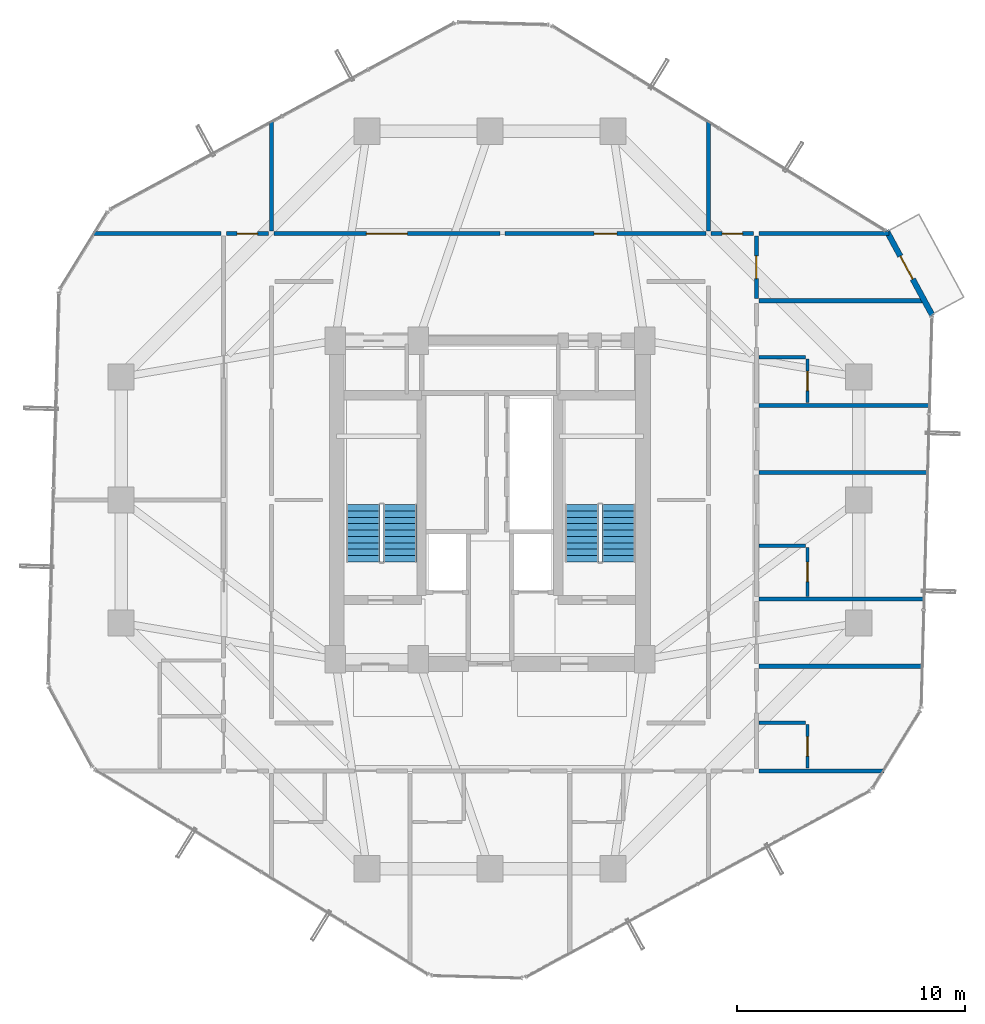
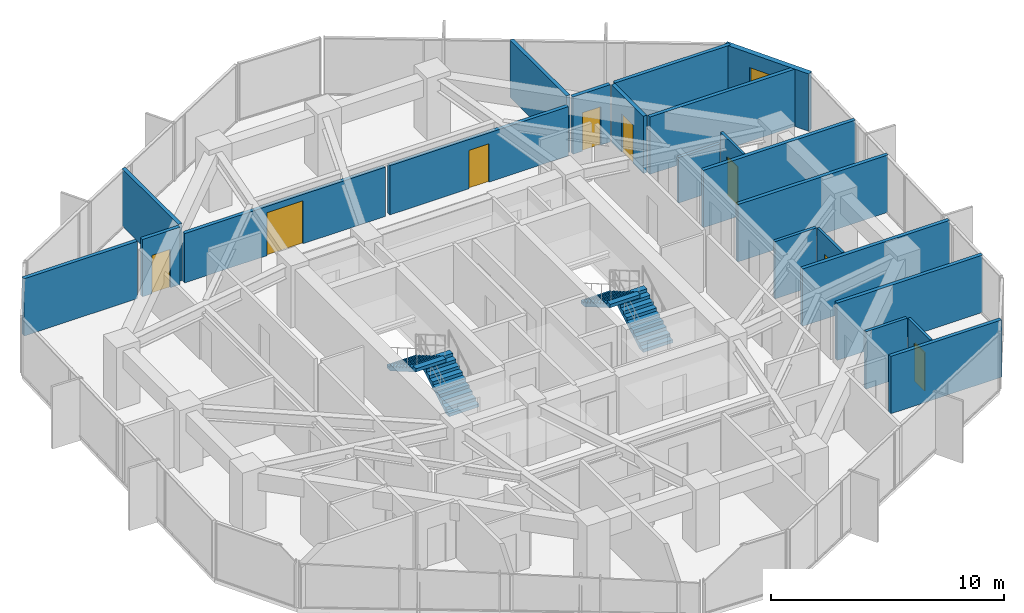
# One storey, part 28 of 30: 22 walls, 9 doors, 4 stair flights, 9 openings, 2 elements without a shape of their own.
"""IFC4 building model written with IfcOpenShell, lengths in metres."""

from ifc_helpers import new_model, si_unit, direction, frame, frame_2d, origin, place, context, subcontext, project, spatial, polyline, rectangle, outline, extrude, source, transform, mapped, material, layer, layer_set, type_object, element, fill, aggregate, save


model = new_model("IFC4")

# Units and contexts
model_context = context("Model", 3, precision=1e-05, world=origin(), true_north=direction((0.0, 1.0)))
body_context = subcontext(model_context, "Body", "Model", "MODEL_VIEW")
ifc_project = project(units=[si_unit("LENGTHUNIT", "METRE"), si_unit("AREAUNIT", "SQUARE_METRE"), si_unit("VOLUMEUNIT", "CUBIC_METRE"), si_unit("PLANEANGLEUNIT", "RADIAN"), si_unit("MASSUNIT", "GRAM", prefix="KILO")], contexts=[model_context])

# Site, building, storey
site_placement = place(None, origin())
site = spatial("IfcSite", under=ifc_project, at=site_placement, CompositionType="ELEMENT")
building_placement = place(site_placement, origin())
building = spatial("IfcBuilding", under=site, at=building_placement, Name="Veraguas Prism Commons", CompositionType="ELEMENT")
storey_placement = place(building_placement, frame((0.0, 0.0, 123.0)))
storey = spatial("IfcBuildingStorey", under=building, at=storey_placement, Name="L34", CompositionType="ELEMENT", Elevation=123.0)

# Walls
ifc_material_1 = material(Name="Autoclaved aerated masonry block 10 MPa", Category="masonry")
ifc_layer_1 = layer(ifc_material_1, 0.179931640625, Name="Corridor and Inter-Tenancy Partition 180", Category="masonry")
ifc_layer_set_1 = layer_set([ifc_layer_1], Name="Autoclaved aerated masonry block 10 MPa")
wall_type_1 = type_object("IfcWallType", Name="Corridor and Inter-Tenancy Partition 180", PredefinedType="PARTITIONING", material=ifc_layer_set_1)
wall_1_placement = place(storey_placement, frame((14.39990234375, 35.820068359375, 0.0), z_axis=(0.0, 0.0, 1.0), x_axis=(0.0, 1.0, 0.0)))
element("IfcWall", 1, at=wall_1_placement, inside=storey, type_object=wall_type_1, Name="WL-L34-PT014", PredefinedType="PARTITIONING", context=body_context, shape_type="SweptSolid", body=[
    extrude(rectangle(XDim=4.830078125, YDim=0.179931640625, at=frame_2d((2.4150390625, 0.0))), origin(), (0.0, 0.0, 1.0), 3.0),
])
wall_2_placement = place(storey_placement, frame((33.60009765625, 35.820068359375, 0.0), z_axis=(0.0, 0.0, 1.0), x_axis=(0.0, 1.0, 0.0)))
element("IfcWall", 2, at=wall_2_placement, inside=storey, type_object=wall_type_1, Name="WL-L34-PT015", PredefinedType="PARTITIONING", context=body_context, shape_type="SweptSolid", body=[
    extrude(rectangle(XDim=4.830810546875, YDim=0.179931640625, at=frame_2d((2.41552734375, 0.0))), origin(), (0.0, 0.0, 1.0), 3.0),
])

# Wall, opening, door
wall_3_placement = place(storey_placement, frame((14.510009765625, 35.699951171875, 0.0), z_axis=(0.0, 0.0, 1.0), x_axis=(1.0, 0.0, 0.0)))
wall_3 = element("IfcWall", 3, at=wall_3_placement, inside=storey, type_object=wall_type_1, Name="WL-L34-PT016", PredefinedType="PARTITIONING", context=body_context, shape_type="SweptSolid", body=[
    extrude(rectangle(XDim=9.924072265625, YDim=0.179931640625, at=frame_2d((4.9619140625, 0.0))), origin(), (0.0, 0.0, 1.0), 2.580078125),
])
opening_1_placement = place(wall_3_placement, frame((4.06201171875, 0.0, 0.0)))
opening_1 = element("IfcOpeningElement", 4, at=opening_1_placement, cuts=wall_3, Name="Opening DR-07", PredefinedType="OPENING", context=body_context, shape_type="SweptSolid", body=[
    extrude(rectangle(XDim=1.800048828125, YDim=2.25, at=frame_2d((0.89990234375, 1.125))), frame((0.0, 0.099853515625, 0.0), z_axis=(0.0, -1.0, 0.0), x_axis=(1.0, 0.0, 0.0)), (0.0, 0.0, 1.0), 0.199951171875),
])
ifc_material_2 = material(Name="Steel fire-rated door assembly", Category="steel")
door_type_1 = type_object("IfcDoorType", Name="Corridor Double Fire Door 1800x2250", OperationType="NOTDEFINED", PredefinedType="DOOR", material=ifc_material_2)
shared_shape_1 = source(origin(), body_context, "Body", "SweptSolid", [
    extrude(rectangle(XDim=1.800048828125, YDim=2.25, at=frame_2d((0.89990234375, 1.125))), frame((0.0, 0.02490234375, 0.0), z_axis=(0.0, -1.0, 0.0), x_axis=(1.0, 0.0, 0.0)), (0.0, 0.0, 1.0), 0.050048828125),
])
door_1_placement = place(opening_1_placement, origin())
door_1 = element("IfcDoor", 5, at=door_1_placement, inside=storey, type_object=door_type_1, Name="Residents Co-op Library and Reading Hall Door 1", OperationType="SINGLE_SWING_LEFT", OverallHeight=2.25, OverallWidth=1.800048828125, PredefinedType="DOOR", context=body_context, shape_type="MappedRepresentation", body=[
    mapped(shared_shape_1, transform((0.0, 0.0, 0.0), scale=1.0)),
])
fill(opening_1, door_1)

wall_4_placement = place(storey_placement, frame((24.654052734375, 35.699951171875, 0.0), z_axis=(0.0, 0.0, 1.0), x_axis=(1.0, 0.0, 0.0)))
wall_4 = element("IfcWall", 6, at=wall_4_placement, inside=storey, type_object=wall_type_1, Name="WL-L34-PT017", PredefinedType="PARTITIONING", context=body_context, shape_type="SweptSolid", body=[
    extrude(rectangle(XDim=8.8359375, YDim=0.179931640625, at=frame_2d((4.41796875, 0.0))), origin(), (0.0, 0.0, 1.0), 2.580078125),
])
opening_2_placement = place(wall_4_placement, frame((3.91796875, 0.0, 0.0)))
opening_2 = element("IfcOpeningElement", 7, at=opening_2_placement, cuts=wall_4, Name="Opening DR-13", PredefinedType="OPENING", context=body_context, shape_type="SweptSolid", body=[
    extrude(rectangle(XDim=1.0, YDim=2.010009765625, at=frame_2d((0.5, 1.0048828125))), frame((0.0, 0.099853515625, 0.0), z_axis=(0.0, -1.0, 0.0), x_axis=(1.0, 0.0, 0.0)), (0.0, 0.0, 1.0), 0.199951171875),
])
door_type_2 = type_object("IfcDoorType", Name="Core Accessible WC and Clinic Fire Door 1000x2010", OperationType="NOTDEFINED", PredefinedType="DOOR", material=ifc_material_2)
shared_shape_2 = source(origin(), body_context, "Body", "SweptSolid", [
    extrude(rectangle(XDim=1.0, YDim=2.010009765625, at=frame_2d((0.5, 1.0048828125))), frame((0.0, 0.02490234375, 0.0), z_axis=(0.0, -1.0, 0.0), x_axis=(1.0, 0.0, 0.0)), (0.0, 0.0, 1.0), 0.050048828125),
])
door_2_placement = place(opening_2_placement, origin())
door_2 = element("IfcDoor", 8, at=door_2_placement, inside=storey, type_object=door_type_2, Name="Residents Co-op Library and Reading Hall Door 2", OperationType="SINGLE_SWING_RIGHT", OverallHeight=2.010009765625, OverallWidth=1.0, PredefinedType="DOOR", context=body_context, shape_type="MappedRepresentation", body=[
    mapped(shared_shape_2, transform((0.0, 0.0, 0.0), scale=1.0)),
])
fill(opening_2, door_2)

# Walls
wall_5_placement = place(storey_placement, frame((12.179931640625, 35.699951171875, 0.0), z_axis=(0.0, 0.0, 1.0), x_axis=(-1.0, 0.0, 0.0)))
element("IfcWall", 9, at=wall_5_placement, inside=storey, type_object=wall_type_1, Name="WL-L34-PT019", PredefinedType="PARTITIONING", context=body_context, shape_type="SweptSolid", body=[
    extrude(rectangle(XDim=5.615966796875, YDim=0.179931640625, at=frame_2d((2.80810546875, 0.0))), origin(), (0.0, 0.0, 1.0), 3.0),
])
wall_6_placement = place(storey_placement, frame((35.820068359375, 12.10009765625, 0.0), z_axis=(0.0, 0.0, 1.0), x_axis=(1.0, 0.0, 0.0)))
element("IfcWall", 10, at=wall_6_placement, inside=storey, type_object=wall_type_1, Name="WL-L34-PT029", PredefinedType="PARTITIONING", context=body_context, shape_type="SweptSolid", body=[
    extrude(rectangle(XDim=5.492919921875, YDim=0.179931640625, at=frame_2d((2.74658203125, 0.0))), origin(), (0.0, 0.0, 1.0), 3.0),
])
wall_7_placement = place(storey_placement, frame((35.820068359375, 35.699951171875, 0.0), z_axis=(0.0, 0.0, 1.0), x_axis=(1.0, 0.0, 0.0)))
element("IfcWall", 11, at=wall_7_placement, inside=storey, type_object=wall_type_1, Name="WL-L34-PT030", PredefinedType="PARTITIONING", context=body_context, shape_type="SweptSolid", body=[
    extrude(rectangle(XDim=5.70458984375, YDim=0.179931640625, at=frame_2d((2.852294921875, 0.0))), origin(), (0.0, 0.0, 1.0), 3.0),
])
wall_8_placement = place(storey_placement, frame((35.820068359375, 16.697998046875, 0.0), z_axis=(0.0, 0.0, 1.0), x_axis=(1.0, 0.0, 0.0)))
element("IfcWall", 12, at=wall_8_placement, inside=storey, type_object=wall_type_1, Name="WL-L34-PT032", PredefinedType="PARTITIONING", context=body_context, shape_type="SweptSolid", body=[
    extrude(rectangle(XDim=7.1982421875, YDim=0.179931640625, at=frame_2d((3.59912109375, 0.0))), origin(), (0.0, 0.0, 1.0), 3.0),
])
wall_9_placement = place(storey_placement, frame((35.820068359375, 19.64794921875, 0.0), z_axis=(0.0, 0.0, 1.0), x_axis=(1.0, 0.0, 0.0)))
element("IfcWall", 13, at=wall_9_placement, inside=storey, type_object=wall_type_1, Name="WL-L34-PT036", PredefinedType="PARTITIONING", context=body_context, shape_type="SweptSolid", body=[
    extrude(rectangle(XDim=7.279541015625, YDim=0.179931640625, at=frame_2d((3.6396484375, 0.0))), origin(), (0.0, 0.0, 1.0), 3.0),
])
wall_10_placement = place(storey_placement, frame((35.820068359375, 25.201904296875, 0.0), z_axis=(0.0, 0.0, 1.0), x_axis=(1.0, 0.0, 0.0)))
element("IfcWall", 14, at=wall_10_placement, inside=storey, type_object=wall_type_1, Name="WL-L34-PT038", PredefinedType="PARTITIONING", context=body_context, shape_type="SweptSolid", body=[
    extrude(rectangle(XDim=7.432861328125, YDim=0.179931640625, at=frame_2d((3.71630859375, 0.0))), origin(), (0.0, 0.0, 1.0), 3.0),
])
wall_11_placement = place(storey_placement, frame((35.820068359375, 28.152099609375, 0.0), z_axis=(0.0, 0.0, 1.0), x_axis=(1.0, 0.0, 0.0)))
element("IfcWall", 15, at=wall_11_placement, inside=storey, type_object=wall_type_1, Name="WL-L34-PT042", PredefinedType="PARTITIONING", context=body_context, shape_type="SweptSolid", body=[
    extrude(rectangle(XDim=7.51416015625, YDim=0.179931640625, at=frame_2d((3.757080078125, 0.0))), origin(), (0.0, 0.0, 1.0), 3.0),
])

# Wall, opening, door
wall_12_placement = place(storey_placement, frame((35.699951171875, 32.860107421875, 0.0), z_axis=(0.0, 0.0, 1.0), x_axis=(0.0, 1.0, 0.0)))
wall_12 = element("IfcWall", 16, at=wall_12_placement, inside=storey, type_object=wall_type_1, Name="WL-L34-PT043", PredefinedType="PARTITIONING", context=body_context, shape_type="SweptSolid", body=[
    extrude(rectangle(XDim=2.72998046875, YDim=0.179931640625, at=frame_2d((1.364990234375, 0.0))), origin(), (0.0, 0.0, 1.0), 3.0),
])
opening_3_placement = place(wall_12_placement, frame((0.864990234375, 0.0, 0.0)))
opening_3 = element("IfcOpeningElement", 17, at=opening_3_placement, cuts=wall_12, Name="Opening DR-13", PredefinedType="OPENING", context=body_context, shape_type="SweptSolid", body=[
    extrude(rectangle(XDim=1.0, YDim=2.010009765625, at=frame_2d((0.5, 1.0048828125))), frame((0.0, 0.099853515625, 0.0), z_axis=(0.0, -1.0, 0.0), x_axis=(1.0, 0.0, 0.0)), (0.0, 0.0, 1.0), 0.199951171875),
])
door_3_placement = place(opening_3_placement, origin())
door_3 = element("IfcDoor", 18, at=door_3_placement, inside=storey, type_object=door_type_2, Name="Quiet Study E Door", OperationType="SINGLE_SWING_LEFT", OverallHeight=2.010009765625, OverallWidth=1.0, PredefinedType="DOOR", context=body_context, shape_type="MappedRepresentation", body=[
    mapped(shared_shape_2, transform((0.0, 0.0, 0.0), scale=1.0)),
])
fill(opening_3, door_3)

# Wall
wall_13_placement = place(storey_placement, frame((35.820068359375, 32.75, 0.0), z_axis=(0.0, 0.0, 1.0), x_axis=(1.0, 0.0, 0.0)))
element("IfcWall", 19, at=wall_13_placement, inside=storey, type_object=wall_type_1, Name="WL-L34-PT044", PredefinedType="PARTITIONING", context=body_context, shape_type="SweptSolid", body=[
    extrude(rectangle(XDim=7.301025390625, YDim=0.179931640625, at=frame_2d((3.650390625, 0.0))), origin(), (0.0, 0.0, 1.0), 3.0),
])

# Wall, opening, door
wall_14_placement = place(storey_placement, frame((12.419921875, 35.699951171875, 0.0), z_axis=(0.0, 0.0, 1.0), x_axis=(1.0, 0.0, 0.0)))
wall_14 = element("IfcWall", 20, at=wall_14_placement, inside=storey, type_object=wall_type_1, Name="WL-L34-PT050", PredefinedType="PARTITIONING", context=body_context, shape_type="SweptSolid", body=[
    extrude(rectangle(XDim=1.860107421875, YDim=0.179931640625, at=frame_2d((0.93017578125, 0.0))), origin(), (0.0, 0.0, 1.0), 3.0),
])
opening_4_placement = place(wall_14_placement, frame((0.47998046875, 0.0, 0.0)))
opening_4 = element("IfcOpeningElement", 21, at=opening_4_placement, cuts=wall_14, Name="Opening DR-14", PredefinedType="OPENING", context=body_context, shape_type="SweptSolid", body=[
    extrude(rectangle(XDim=0.89990234375, YDim=2.010009765625, at=frame_2d((0.449951171875, 1.0048828125))), frame((0.0, 0.099853515625, 0.0), z_axis=(0.0, -1.0, 0.0), x_axis=(1.0, 0.0, 0.0)), (0.0, 0.0, 1.0), 0.199951171875),
])
door_type_3 = type_object("IfcDoorType", Name="Core Service Room Fire Door 900x2010", OperationType="NOTDEFINED", PredefinedType="DOOR", material=ifc_material_2)
shared_shape_3 = source(origin(), body_context, "Body", "SweptSolid", [
    extrude(rectangle(XDim=0.89990234375, YDim=2.010009765625, at=frame_2d((0.449951171875, 1.0048828125))), frame((0.0, 0.02490234375, 0.0), z_axis=(0.0, -1.0, 0.0), x_axis=(1.0, 0.0, 0.0)), (0.0, 0.0, 1.0), 0.050048828125),
])
door_4_placement = place(opening_4_placement, origin())
door_4 = element("IfcDoor", 22, at=door_4_placement, inside=storey, type_object=door_type_3, Name="Residents Cycle and Pram Store NW Door", OperationType="SINGLE_SWING_RIGHT", OverallHeight=2.010009765625, OverallWidth=0.89990234375, PredefinedType="DOOR", context=body_context, shape_type="MappedRepresentation", body=[
    mapped(shared_shape_3, transform((0.0, 0.0, 0.0), scale=1.0)),
])
fill(opening_4, door_4)

wall_15_placement = place(storey_placement, frame((33.719970703125, 35.699951171875, 0.0), z_axis=(0.0, 0.0, 1.0), x_axis=(1.0, 0.0, 0.0)))
wall_15 = element("IfcWall", 23, at=wall_15_placement, inside=storey, type_object=wall_type_1, Name="WL-L34-PT051", PredefinedType="PARTITIONING", context=body_context, shape_type="SweptSolid", body=[
    extrude(rectangle(XDim=1.860107421875, YDim=0.179931640625, at=frame_2d((0.93017578125, 0.0))), origin(), (0.0, 0.0, 1.0), 3.0),
])
opening_5_placement = place(wall_15_placement, frame((0.47998046875, 0.0, 0.0)))
opening_5 = element("IfcOpeningElement", 24, at=opening_5_placement, cuts=wall_15, Name="Opening DR-14", PredefinedType="OPENING", context=body_context, shape_type="SweptSolid", body=[
    extrude(rectangle(XDim=0.89990234375, YDim=2.010009765625, at=frame_2d((0.449951171875, 1.0048828125))), frame((0.0, 0.099853515625, 0.0), z_axis=(0.0, -1.0, 0.0), x_axis=(1.0, 0.0, 0.0)), (0.0, 0.0, 1.0), 0.199951171875),
])
door_5_placement = place(opening_5_placement, origin())
door_5 = element("IfcDoor", 25, at=door_5_placement, inside=storey, type_object=door_type_3, Name="Residents Corner Study Room NE Door", OperationType="SINGLE_SWING_LEFT", OverallHeight=2.010009765625, OverallWidth=0.89990234375, PredefinedType="DOOR", context=body_context, shape_type="MappedRepresentation", body=[
    mapped(shared_shape_3, transform((0.0, 0.0, 0.0), scale=1.0)),
])
fill(opening_5, door_5)

ifc_material_3 = material(Name="Precast concrete C40/50", Category="concrete")
ifc_layer_2 = layer(ifc_material_3, 0.25, Name="External Loggia and Portal Wall 250", Category="concrete")
ifc_layer_set_2 = layer_set([ifc_layer_2], Name="Precast concrete C40/50")
wall_type_2 = type_object("IfcWallType", Name="External Loggia and Portal Wall 250", PredefinedType="SOLIDWALL", material=ifc_layer_set_2)
wall_16_placement = place(storey_placement, frame((43.433349609375, 32.10986328125, 0.0), z_axis=(0.0, 0.0, 1.0), x_axis=(-0.47593195268, 0.879482106934, 0.0)))
wall_16 = element("IfcWall", 26, at=wall_16_placement, inside=storey, type_object=wall_type_2, Name="Corner Loggia Wall L34-C1", PredefinedType="SOLIDWALL", context=body_context, shape_type="SweptSolid", body=[
    extrude(rectangle(XDim=4.233154296875, YDim=0.25, at=frame_2d((2.11669921875, 0.0))), origin(), (0.0, 0.0, 1.0), 3.0),
])
opening_6_placement = place(wall_16_placement, frame((1.81005859375, 0.0, 0.0)))
opening_6 = element("IfcOpeningElement", 27, at=opening_6_placement, cuts=wall_16, Name="Opening DR-10", PredefinedType="OPENING", context=body_context, shape_type="SweptSolid", body=[
    extrude(rectangle(XDim=1.14990234375, YDim=2.25, at=frame_2d((0.574951171875, 1.125))), frame((0.0, 0.135009765625, 0.0), z_axis=(0.0, -1.0, 0.0), x_axis=(1.0, 0.0, 0.0)), (0.0, 0.0, 1.0), 0.27001953125),
])
ifc_material_4 = material(Name="Anodised aluminium EN AW-6063 T6", Category="aluminium")
door_type_4 = type_object("IfcDoorType", Name="Glazed Loggia and Terrace Door 1150x2250", OperationType="NOTDEFINED", PredefinedType="DOOR", material=ifc_material_4)
shared_shape_4 = source(origin(), body_context, "Body", "SweptSolid", [
    extrude(rectangle(XDim=1.14990234375, YDim=2.25, at=frame_2d((0.574951171875, 1.125))), frame((0.0, 0.02490234375, 0.0), z_axis=(0.0, -1.0, 0.0), x_axis=(1.0, 0.0, 0.0)), (0.0, 0.0, 1.0), 0.050048828125),
])
door_6_placement = place(opening_6_placement, frame((1.14990234375, 0.0, 0.0), z_axis=(0.0, 0.0, 1.0), x_axis=(-1.0, 0.0, 0.0)))
door_6 = element("IfcDoor", 28, at=door_6_placement, inside=storey, type_object=door_type_4, Name="Recessed Loggia Door L34-C1", OperationType="SINGLE_SWING_RIGHT", OverallHeight=2.25, OverallWidth=1.14990234375, PredefinedType="DOOR", context=body_context, shape_type="MappedRepresentation", body=[
    mapped(shared_shape_4, transform((0.0, 0.0, 0.0), scale=1.0)),
])
fill(opening_6, door_6)

ifc_material_5 = material(Name="Lightweight acoustic gypsum board")
ifc_layer_3 = layer(ifc_material_5, 0.125, Name="Internal Apartment Room Partition 125")
ifc_layer_set_3 = layer_set([ifc_layer_3], Name="Lightweight acoustic gypsum board")
wall_type_3 = type_object("IfcWallType", Name="Internal Apartment Room Partition 125", PredefinedType="PARTITIONING", material=ifc_layer_set_3)
wall_17_placement = place(storey_placement, frame((37.949951171875, 12.219970703125, 0.0), z_axis=(0.0, 0.0, 1.0), x_axis=(0.0, 1.0, 0.0)))
wall_17 = element("IfcWall", 29, at=wall_17_placement, inside=storey, type_object=wall_type_3, Name="WL-L34-PT035", PredefinedType="PARTITIONING", context=body_context, shape_type="SweptSolid", body=[
    extrude(rectangle(XDim=1.9150390625, YDim=0.125, at=frame_2d((0.95751953125, 0.0))), origin(), (0.0, 0.0, 1.0), 3.0),
])
opening_7_placement = place(wall_17_placement, frame((0.527587890625, 0.0, 0.0)))
opening_7 = element("IfcOpeningElement", 30, at=opening_7_placement, cuts=wall_17, Name="Opening DR-03", PredefinedType="OPENING", context=body_context, shape_type="SweptSolid", body=[
    extrude(rectangle(XDim=0.860107421875, YDim=2.010009765625, at=frame_2d((0.43017578125, 1.0048828125))), frame((0.0, 0.072509765625, 0.0), z_axis=(0.0, -1.0, 0.0), x_axis=(1.0, 0.0, 0.0)), (0.0, 0.0, 1.0), 0.14501953125),
])
ifc_material_6 = material(Name="Timber moisture-resistant leaf", Category="wood")
door_type_5 = type_object("IfcDoorType", Name="Internal Bathroom Door 860x2010", OperationType="NOTDEFINED", PredefinedType="DOOR", material=ifc_material_6)
shared_shape_5 = source(origin(), body_context, "Body", "SweptSolid", [
    extrude(rectangle(XDim=0.860107421875, YDim=2.010009765625, at=frame_2d((0.43017578125, 1.0048828125))), frame((0.0, 0.02490234375, 0.0), z_axis=(0.0, -1.0, 0.0), x_axis=(1.0, 0.0, 0.0)), (0.0, 0.0, 1.0), 0.050048828125),
])
door_7_placement = place(opening_7_placement, origin())
door_7 = element("IfcDoor", 31, at=door_7_placement, inside=storey, type_object=door_type_5, Name="Studio 34D Bathroom Door", OperationType="SINGLE_SWING_LEFT", OverallHeight=2.010009765625, OverallWidth=0.860107421875, PredefinedType="DOOR", context=body_context, shape_type="MappedRepresentation", body=[
    mapped(shared_shape_5, transform((0.0, 0.0, 0.0), scale=1.0)),
])
fill(opening_7, door_7)

wall_18_placement = place(storey_placement, frame((37.949951171875, 19.76806640625, 0.0), z_axis=(0.0, 0.0, 1.0), x_axis=(0.0, 1.0, 0.0)))
wall_18 = element("IfcWall", 32, at=wall_18_placement, inside=storey, type_object=wall_type_3, Name="WL-L34-PT041", PredefinedType="PARTITIONING", context=body_context, shape_type="SweptSolid", body=[
    extrude(rectangle(XDim=2.14990234375, YDim=0.125, at=frame_2d((1.074951171875, 0.0))), origin(), (0.0, 0.0, 1.0), 3.0),
])
opening_8_placement = place(wall_18_placement, frame((0.64501953125, 0.0, 0.0)))
opening_8 = element("IfcOpeningElement", 33, at=opening_8_placement, cuts=wall_18, Name="Opening DR-03", PredefinedType="OPENING", context=body_context, shape_type="SweptSolid", body=[
    extrude(rectangle(XDim=0.860107421875, YDim=2.010009765625, at=frame_2d((0.43017578125, 1.0048828125))), frame((0.0, 0.072509765625, 0.0), z_axis=(0.0, -1.0, 0.0), x_axis=(1.0, 0.0, 0.0)), (0.0, 0.0, 1.0), 0.14501953125),
])
door_8_placement = place(opening_8_placement, origin())
door_8 = element("IfcDoor", 34, at=door_8_placement, inside=storey, type_object=door_type_5, Name="Studio 34E Bathroom Door", OperationType="SINGLE_SWING_RIGHT", OverallHeight=2.010009765625, OverallWidth=0.860107421875, PredefinedType="DOOR", context=body_context, shape_type="MappedRepresentation", body=[
    mapped(shared_shape_5, transform((0.0, 0.0, 0.0), scale=1.0)),
])
fill(opening_8, door_8)

wall_19_placement = place(storey_placement, frame((37.949951171875, 28.27197265625, 0.0), z_axis=(0.0, 0.0, 1.0), x_axis=(0.0, 1.0, 0.0)))
wall_19 = element("IfcWall", 35, at=wall_19_placement, inside=storey, type_object=wall_type_3, Name="WL-L34-PT047", PredefinedType="PARTITIONING", context=body_context, shape_type="SweptSolid", body=[
    extrude(rectangle(XDim=1.9150390625, YDim=0.125, at=frame_2d((0.95751953125, 0.0))), origin(), (0.0, 0.0, 1.0), 3.0),
])
opening_9_placement = place(wall_19_placement, frame((0.527587890625, 0.0, 0.0)))
opening_9 = element("IfcOpeningElement", 36, at=opening_9_placement, cuts=wall_19, Name="Opening DR-03", PredefinedType="OPENING", context=body_context, shape_type="SweptSolid", body=[
    extrude(rectangle(XDim=0.860107421875, YDim=2.010009765625, at=frame_2d((0.43017578125, 1.0048828125))), frame((0.0, 0.072509765625, 0.0), z_axis=(0.0, -1.0, 0.0), x_axis=(1.0, 0.0, 0.0)), (0.0, 0.0, 1.0), 0.14501953125),
])
door_9_placement = place(opening_9_placement, origin())
door_9 = element("IfcDoor", 37, at=door_9_placement, inside=storey, type_object=door_type_5, Name="Studio 34F Bathroom Door", OperationType="SINGLE_SWING_LEFT", OverallHeight=2.010009765625, OverallWidth=0.860107421875, PredefinedType="DOOR", context=body_context, shape_type="MappedRepresentation", body=[
    mapped(shared_shape_5, transform((0.0, 0.0, 0.0), scale=1.0)),
])
fill(opening_9, door_9)

# Walls
ifc_layer_4 = layer(ifc_material_5, 0.14990234375, Name="Wet Room and Clinic Acoustic Partition 150")
ifc_layer_set_4 = layer_set([ifc_layer_4], Name="Lightweight acoustic gypsum board")
wall_type_4 = type_object("IfcWallType", Name="Wet Room and Clinic Acoustic Partition 150", PredefinedType="PARTITIONING", material=ifc_layer_set_4)
for number, where, z_axis, x_axis, name in (
    (38, (35.820068359375, 14.215087890625, 0.0), (0.0, 0.0, 1.0), (1.0, 0.0, 0.0), "WL-L34-PT034"),
    (39, (35.820068359375, 21.998046875, 0.0), (0.0, 0.0, 1.0), (1.0, 0.0, 0.0), "WL-L34-PT040"),
):
    element("IfcWall", number, at=place(storey_placement, frame(where, z_axis=z_axis, x_axis=x_axis)), inside=storey, type_object=wall_type_4, Name=name, PredefinedType="PARTITIONING", context=body_context, shape_type="SweptSolid", body=[
        extrude(rectangle(XDim=2.050048828125, YDim=0.14990234375, at=frame_2d((1.02490234375, 0.0))), origin(), (0.0, 0.0, 1.0), 3.0),
    ])
wall_20_placement = place(storey_placement, frame((35.820068359375, 30.26708984375, 0.0), z_axis=(0.0, 0.0, 1.0), x_axis=(1.0, 0.0, 0.0)))
element("IfcWall", 40, at=wall_20_placement, inside=storey, type_object=wall_type_4, Name="WL-L34-PT046", PredefinedType="PARTITIONING", context=body_context, shape_type="SweptSolid", body=[
    extrude(rectangle(XDim=2.050048828125, YDim=0.14990234375, at=frame_2d((1.02490234375, 0.0))), origin(), (0.0, 0.0, 1.0), 2.3779296875),
])

# Stair, stair flights
ifc_material_7 = material(Name="Precast concrete C45/55", Category="concrete")
stair_type = type_object("IfcStairType", Name="Dogleg Core Stair 1480W 20R 05", PredefinedType="HALF_TURN_STAIR", material=ifc_material_7)
stair_1_placement = place(storey_placement, origin())
stair_1 = element("IfcStair", 41, at=stair_1_placement, inside=storey, type_object=stair_type, Name="Protected Exit Stair ST-01 L34", PredefinedType="HALF_TURN_STAIR")
stair_flight_type = type_object("IfcStairFlightType", Name="Precast Stair Flight 1480W 10R 05", PredefinedType="STRAIGHT", material=ifc_material_7)
stair_flight_1_placement = place(storey_placement, frame((20.06005859375, 21.280029296875, 0.0), z_axis=(0.0, 0.0, 1.0), x_axis=(0.0, 1.0, 0.0)))
stair_flight_1 = element("IfcStairFlight", 42, at=stair_flight_1_placement, type_object=stair_flight_type, Name="ST-05 Flight 1", NumberOfRisers=10, NumberOfTreads=9, PredefinedType="STRAIGHT", RiserHeight=0.1625, TreadLength=0.28, context=body_context, shape_type="SweptSolid", body=[
    extrude(outline(polyline([(0.0, 0.0), (0.0, 0.16259765625), (0.280029296875, 0.16259765625), (0.280029296875, 0.324951171875), (0.56005859375, 0.324951171875), (0.56005859375, 0.487548828125), (0.840087890625, 0.487548828125), (0.840087890625, 0.64990234375), (1.1201171875, 0.64990234375), (1.1201171875, 0.8125), (1.39990234375, 0.8125), (1.39990234375, 0.97509765625), (1.679931640625, 0.97509765625), (1.679931640625, 1.137451171875), (1.9599609375, 1.137451171875), (1.9599609375, 1.300048828125), (2.239990234375, 1.300048828125), (2.239990234375, 1.46240234375), (2.52001953125, 1.46240234375), (2.52001953125, 1.625), (2.52001953125, 1.2890625), (0.298583984375, 0.0), (0.0, 0.0)])), frame((0.0, 0.739990234375, 0.0), z_axis=(0.0, -1.0, 0.0), x_axis=(1.0, 0.0, 0.0)), (0.0, 0.0, 1.0), 1.47998046875),
])
stair_flight_2_placement = place(storey_placement, frame((18.429931640625, 23.800048828125, 1.625), z_axis=(0.0, 0.0, 1.0), x_axis=(0.0, -1.0, 0.0)))
stair_flight_2 = element("IfcStairFlight", 43, at=stair_flight_2_placement, type_object=stair_flight_type, Name="ST-05 Flight 2", NumberOfRisers=10, NumberOfTreads=9, PredefinedType="STRAIGHT", RiserHeight=0.1625, TreadLength=0.28, context=body_context, shape_type="SweptSolid", body=[
    extrude(outline(polyline([(0.0, 0.0), (0.0, 0.16259765625), (0.280029296875, 0.16259765625), (0.280029296875, 0.324951171875), (0.56005859375, 0.324951171875), (0.56005859375, 0.487548828125), (0.840087890625, 0.487548828125), (0.840087890625, 0.64990234375), (1.1201171875, 0.64990234375), (1.1201171875, 0.8125), (1.39990234375, 0.8125), (1.39990234375, 0.97509765625), (1.679931640625, 0.97509765625), (1.679931640625, 1.137451171875), (1.9599609375, 1.137451171875), (1.9599609375, 1.300048828125), (2.239990234375, 1.300048828125), (2.239990234375, 1.46240234375), (2.52001953125, 1.46240234375), (2.52001953125, 1.625), (2.52001953125, 1.2890625), (0.298583984375, 0.0), (0.0, 0.0)])), frame((0.0, 0.739990234375, 0.0), z_axis=(0.0, -1.0, 0.0), x_axis=(1.0, 0.0, 0.0)), (0.0, 0.0, 1.0), 1.47998046875),
])
aggregate(stair_1, [stair_flight_1, stair_flight_2])

stair_2_placement = place(storey_placement, origin())
stair_2 = element("IfcStair", 44, at=stair_2_placement, inside=storey, type_object=stair_type, Name="Protected Exit Stair ST-02 L34", PredefinedType="HALF_TURN_STAIR")
stair_flight_3_placement = place(storey_placement, frame((29.659912109375, 21.280029296875, 0.0), z_axis=(0.0, 0.0, 1.0), x_axis=(0.0, 1.0, 0.0)))
stair_flight_3 = element("IfcStairFlight", 45, at=stair_flight_3_placement, type_object=stair_flight_type, Name="ST-05 Flight 1", NumberOfRisers=10, NumberOfTreads=9, PredefinedType="STRAIGHT", RiserHeight=0.1625, TreadLength=0.28, context=body_context, shape_type="SweptSolid", body=[
    extrude(outline(polyline([(0.0, 0.0), (0.0, 0.16259765625), (0.280029296875, 0.16259765625), (0.280029296875, 0.324951171875), (0.56005859375, 0.324951171875), (0.56005859375, 0.487548828125), (0.840087890625, 0.487548828125), (0.840087890625, 0.64990234375), (1.1201171875, 0.64990234375), (1.1201171875, 0.8125), (1.39990234375, 0.8125), (1.39990234375, 0.97509765625), (1.679931640625, 0.97509765625), (1.679931640625, 1.137451171875), (1.9599609375, 1.137451171875), (1.9599609375, 1.300048828125), (2.239990234375, 1.300048828125), (2.239990234375, 1.46240234375), (2.52001953125, 1.46240234375), (2.52001953125, 1.625), (2.52001953125, 1.2890625), (0.298583984375, 0.0), (0.0, 0.0)])), frame((0.0, 0.739990234375, 0.0), z_axis=(0.0, -1.0, 0.0), x_axis=(1.0, 0.0, 0.0)), (0.0, 0.0, 1.0), 1.47998046875),
])
stair_flight_4_placement = place(storey_placement, frame((28.030029296875, 23.800048828125, 1.625), z_axis=(0.0, 0.0, 1.0), x_axis=(0.0, -1.0, 0.0)))
stair_flight_4 = element("IfcStairFlight", 46, at=stair_flight_4_placement, type_object=stair_flight_type, Name="ST-05 Flight 2", NumberOfRisers=10, NumberOfTreads=9, PredefinedType="STRAIGHT", RiserHeight=0.1625, TreadLength=0.28, context=body_context, shape_type="SweptSolid", body=[
    extrude(outline(polyline([(0.0, 0.0), (0.0, 0.16259765625), (0.280029296875, 0.16259765625), (0.280029296875, 0.324951171875), (0.56005859375, 0.324951171875), (0.56005859375, 0.487548828125), (0.840087890625, 0.487548828125), (0.840087890625, 0.64990234375), (1.1201171875, 0.64990234375), (1.1201171875, 0.8125), (1.39990234375, 0.8125), (1.39990234375, 0.97509765625), (1.679931640625, 0.97509765625), (1.679931640625, 1.137451171875), (1.9599609375, 1.137451171875), (1.9599609375, 1.300048828125), (2.239990234375, 1.300048828125), (2.239990234375, 1.46240234375), (2.52001953125, 1.46240234375), (2.52001953125, 1.625), (2.52001953125, 1.2890625), (0.298583984375, 0.0), (0.0, 0.0)])), frame((0.0, 0.739990234375, 0.0), z_axis=(0.0, -1.0, 0.0), x_axis=(1.0, 0.0, 0.0)), (0.0, 0.0, 1.0), 1.47998046875),
])
aggregate(stair_2, [stair_flight_3, stair_flight_4])

save(model, "model.ifc")
